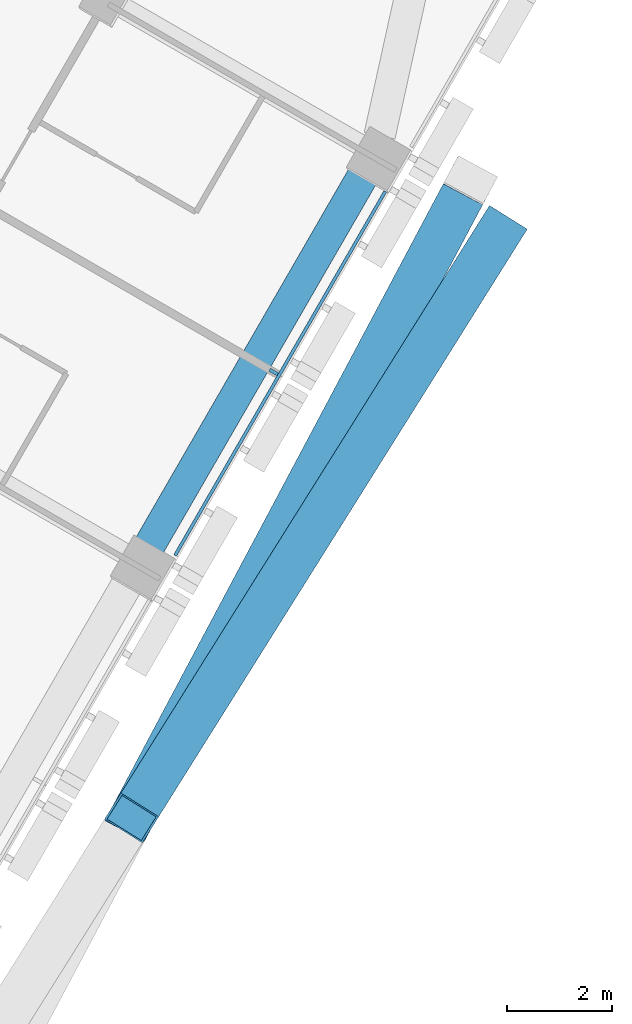
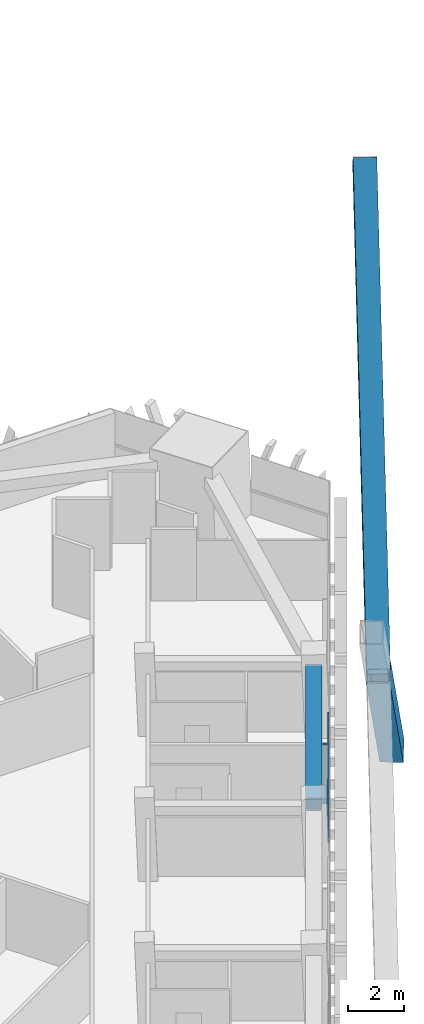
# One storey, part 7 of 19: 4 members, 1 beam, 1 element without a shape of its own.
"""IFC4 building model written with IfcOpenShell, lengths in metres."""

from ifc_helpers import new_model, si_unit, direction, frame, origin, origin_2d, place, context, subcontext, project, spatial, rectangle, hollow_rectangle, extrude, material, layer, layer_set, material_profile, profile_set, type_object, element, aggregate, save


model = new_model("IFC4")

# Units and contexts
model_context = context("Model", 3, precision=1e-05, world=origin(), true_north=direction((0.0, 1.0)))
body_context = subcontext(model_context, "Body", "Model", "MODEL_VIEW")
ifc_project = project(units=[si_unit("LENGTHUNIT", "METRE"), si_unit("AREAUNIT", "SQUARE_METRE"), si_unit("VOLUMEUNIT", "CUBIC_METRE"), si_unit("PLANEANGLEUNIT", "RADIAN"), si_unit("MASSUNIT", "GRAM", prefix="KILO")], contexts=[model_context])

# Site, building, storey
site_placement = place(None, origin())
site = spatial("IfcSite", under=ifc_project, at=site_placement, CompositionType="ELEMENT")
building_placement = place(site_placement, origin())
building = spatial("IfcBuilding", under=site, at=building_placement, Name="Altiplano Prism Tower", CompositionType="ELEMENT")
storey_placement = place(building_placement, frame((0.0, 0.0, 70.199951171875)))
storey = spatial("IfcBuildingStorey", under=building, at=storey_placement, Name="L17", CompositionType="ELEMENT", Elevation=70.199951171875)

# Curtain wall, members
ifc_material_1 = material(Name="Aluminium and glass", Category="aluminium")
ifc_layer = layer(ifc_material_1, 0.280029296875)
ifc_layer_set = layer_set([ifc_layer], Name="Aluminium and glass")
curtain_wall_type = type_object("IfcCurtainWallType", Name="CW1 typical co-living unitised curtain wall", PredefinedType="NOTDEFINED", material=ifc_layer_set)
curtain_wall_placement = place(storey_placement, origin())
curtain_wall = element("IfcCurtainWall", 1, at=curtain_wall_placement, inside=storey, type_object=curtain_wall_type, Name="CW1 curtain wall south-east face L17", PredefinedType="NOTDEFINED")
ifc_material_2 = material(Name="Aluminium", Category="aluminium")
ifc_material_profile_1 = material_profile(ifc_material_2, rectangle(XDim=0.179931640625, YDim=0.06494140625, at=origin_2d()), Name="CW1 mullion 65 x 180")
ifc_profile_set_1 = profile_set([ifc_material_profile_1], Name="Aluminium")
member_type_1 = type_object("IfcMemberType", Name="CW1 mullion 65 x 180", PredefinedType="MULLION", material=ifc_profile_set_1)
member_1_placement = place(storey_placement, frame((106.56201171875, 83.0517578125, 0.0), z_axis=(0.0, 0.0, 1.0), x_axis=(-0.86602540313, 0.500000001134, 0.0)))
member_1 = element("IfcMember", 2, at=member_1_placement, type_object=member_type_1, Name="CW1 mullion", PredefinedType="MULLION", context=body_context, shape_type="SweptSolid", body=[
    extrude(rectangle(XDim=0.179931640625, YDim=0.06494140625, at=origin_2d()), origin(), (0.0, 0.0, 1.0), 2.60009765625),
])
ifc_material_profile_2 = material_profile(ifc_material_2, rectangle(XDim=0.06005859375, YDim=0.080078125, at=origin_2d()), Name="CW1 transom 80 x 60")
ifc_profile_set_2 = profile_set([ifc_material_profile_2], Name="Aluminium")
member_type_2 = type_object("IfcMemberType", Name="CW1 transom 80 x 60", PredefinedType="USERDEFINED", material=ifc_profile_set_2)
member_2_placement = place(storey_placement, frame((104.6806640625, 79.55322265625, 1.10009765625), z_axis=(0.500012318566, 0.86601829154, 0.0), x_axis=(-0.86601829154, 0.500012318566, 0.0)))
member_2 = element("IfcMember", 3, at=member_2_placement, type_object=member_type_2, Name="CW1 transom", ObjectType="TRANSOM", PredefinedType="USERDEFINED", context=body_context, shape_type="SweptSolid", body=[
    extrude(rectangle(XDim=0.06005859375, YDim=0.080078125, at=origin_2d()), origin(), (0.0, 0.0, 1.0), 8.019775390625),
])
aggregate(curtain_wall, [member_1, member_2])

# Beam
ifc_material_3 = material(Name="Concrete C60/75", Category="concrete")
ifc_material_profile_3 = material_profile(ifc_material_3, rectangle(XDim=0.60009765625, YDim=0.5, at=origin_2d()), Name="Edge beam 600x500")
ifc_profile_set_3 = profile_set([ifc_material_profile_3], Name="Concrete C60/75")
beam_type = type_object("IfcBeamType", Name="Edge beam 600x500", PredefinedType="SPANDREL", material=ifc_profile_set_3)
beam_placement = place(storey_placement, frame((104.171875, 79.708984375, 2.85009765625), z_axis=(0.500014701701, 0.866016915587, 0.0), x_axis=(-0.866016915587, 0.500014701701, 0.0)))
element("IfcBeam", 4, at=beam_placement, inside=storey, type_object=beam_type, Name="Edge beam P23-P24 L18", PredefinedType="SPANDREL", context=body_context, shape_type="SweptSolid", body=[
    extrude(rectangle(XDim=0.60009765625, YDim=0.5, at=origin_2d()), origin(), (0.0, 0.0, 1.0), 8.340087890625),
])

# Members
ifc_material_4 = material(Name="Steel S355", Category="steel")
ifc_material_profile_4 = material_profile(ifc_material_4, hollow_rectangle(XDim=0.85009765625, YDim=0.85009765625, WallThickness=0.0400390625, at=origin_2d()), Name="Mega brace Box 850x850x40")
ifc_profile_set_4 = profile_set([ifc_material_profile_4], Name="Steel S355")
member_type_3 = type_object("IfcMemberType", Name="Mega brace Box 850x850x40", PredefinedType="BRACE", material=ifc_profile_set_4)
member_3_placement = place(storey_placement, frame((103.85205078125, 74.54736328125, 11.85009765625), z_axis=(0.345133141437, 0.649545688362, 0.677475839726), x_axis=(-0.883080796706, 0.469220957002, 0.0)))
element("IfcMember", 5, at=member_3_placement, inside=storey, type_object=member_type_3, Name="Mega brace 2.2.2", PredefinedType="BRACE", context=body_context, shape_type="SweptSolid", body=[
    extrude(hollow_rectangle(XDim=0.85009765625, YDim=0.85009765625, WallThickness=0.0400390625, at=origin_2d()), origin(), (0.0, 0.0, 1.0), 18.7060546875),
])
member_4_placement = place(storey_placement, frame((110.8818359375, 85.75390625, -0.849853515625), z_axis=(-0.383338978098, -0.611100429695, 0.692536997349), x_axis=(0.847124167105, -0.531394999512, 0.0)))
element("IfcMember", 6, at=member_4_placement, inside=storey, type_object=member_type_3, Name="Mega brace 2.2.3", PredefinedType="BRACE", context=body_context, shape_type="SweptSolid", body=[
    extrude(hollow_rectangle(XDim=0.85009765625, YDim=0.85009765625, WallThickness=0.0400390625, at=origin_2d()), origin(), (0.0, 0.0, 1.0), 18.33837890625),
])

save(model, "model.ifc")
